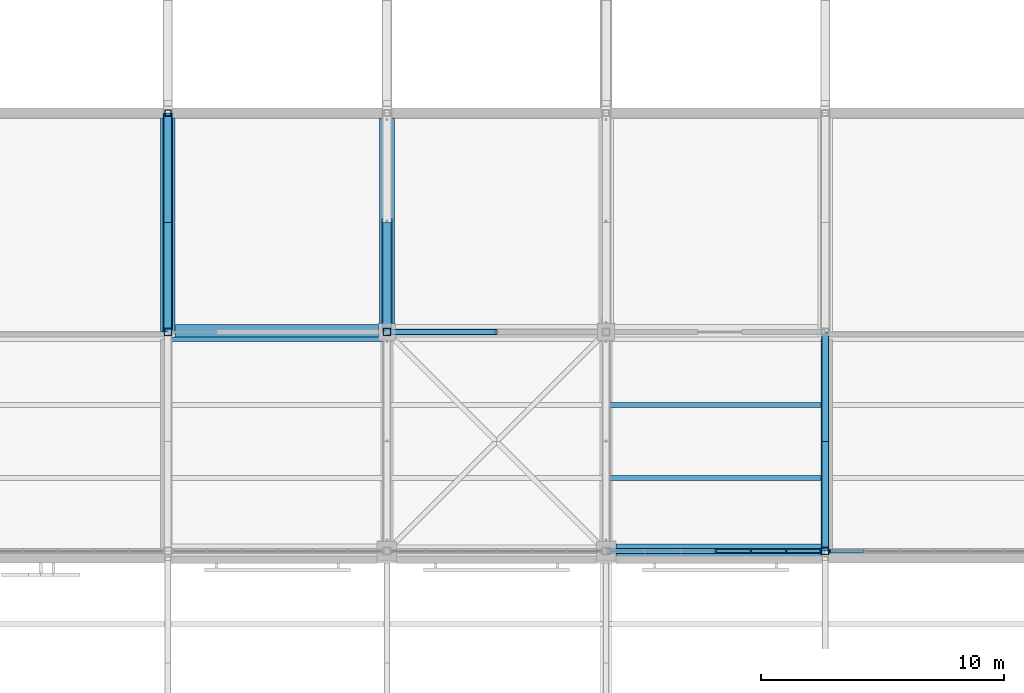
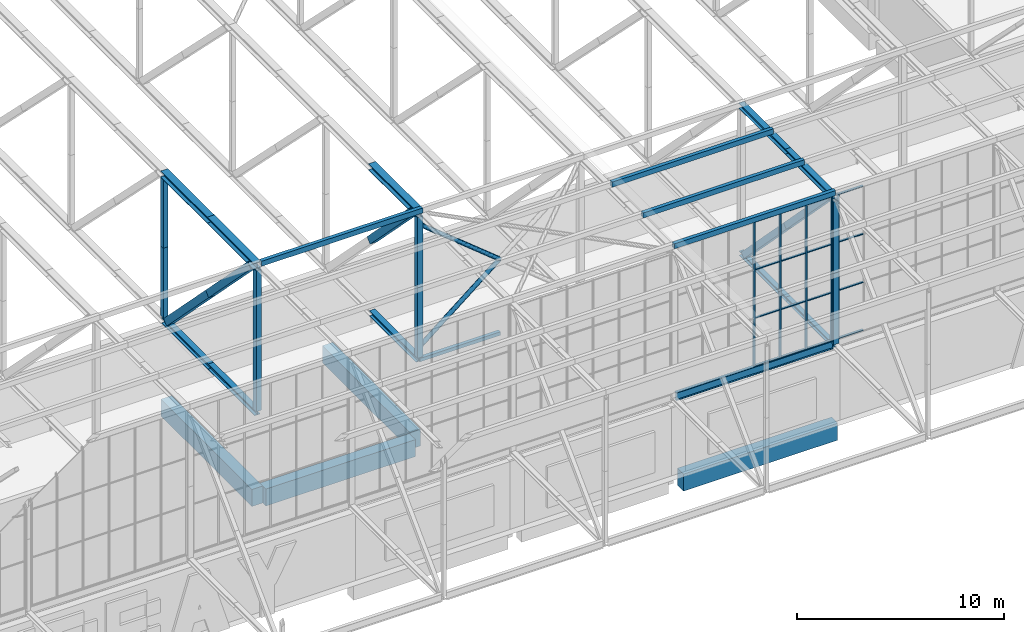
# One storey, part 35 of 646: 51 members, 5 beams, 2 elements without a shape of their own.
"""IFC4 building model written with IfcOpenShell, lengths in metres."""

from ifc_helpers import new_model, si_unit, direction, frame, origin, origin_2d, place, context, subcontext, project, spatial, rectangle, hollow_rectangle, hollow_circle, i_section, extrude, material, material_profile, profile_set, type_object, element, aggregate, save


model = new_model("IFC4")

# Units and contexts
model_context = context("Model", 3, precision=1e-05, world=origin(), true_north=direction((0.0, 1.0)))
body_context = subcontext(model_context, "Body", "Model", "MODEL_VIEW")
ifc_project = project(units=[si_unit("LENGTHUNIT", "METRE"), si_unit("AREAUNIT", "SQUARE_METRE"), si_unit("VOLUMEUNIT", "CUBIC_METRE"), si_unit("PLANEANGLEUNIT", "RADIAN"), si_unit("MASSUNIT", "GRAM", prefix="KILO")], contexts=[model_context])

# Site, building, storey
site_placement = place(None, origin())
site = spatial("IfcSite", under=ifc_project, at=site_placement, CompositionType="ELEMENT")
building_placement = place(site_placement, origin())
building = spatial("IfcBuilding", under=site, at=building_placement, Name="Silverbay Arena", CompositionType="ELEMENT")
storey_placement = place(building_placement, frame((0.0, 0.0, 33.5)))
storey = spatial("IfcBuildingStorey", under=building, at=storey_placement, Name="L05", CompositionType="ELEMENT", Elevation=33.5)

# Members
ifc_material_1 = material(Name="Steel S355", Category="steel")
ifc_material_profile_1 = material_profile(ifc_material_1, hollow_rectangle(XDim=0.199951171875, YDim=0.199951171875, WallThickness=0.008056640625, at=origin_2d()), Name="SHS 200x200x8")
ifc_profile_set_1 = profile_set([ifc_material_profile_1], Name="Steel S355")
member_type_1 = type_object("IfcMemberType", Name="Bracing strut SHS 200x200x8", PredefinedType="STRUT", material=ifc_profile_set_1)
member_1_placement = place(storey_placement, frame((126.0, 27.0, 4.13330078125), z_axis=(1.0, 0.0, 0.0), x_axis=(0.0, 1.0, 0.0)))
element("IfcMember", 1, at=member_1_placement, inside=storey, type_object=member_type_1, Name="ROOF BRACING strut 15-16 line 03a", PredefinedType="STRUT", context=body_context, shape_type="SweptSolid", body=[
    extrude(hollow_rectangle(XDim=0.199951171875, YDim=0.199951171875, WallThickness=0.008056640625, at=origin_2d()), origin(), (0.0, 0.0, 1.0), 4.5),
])
ifc_material_2 = material(Name="Steel S355", Category="steel")
ifc_material_profile_2 = material_profile(ifc_material_2, i_section(OverallWidth=0.2587890625, OverallDepth=0.2666015625, WebThickness=0.0126953125, FlangeThickness=0.0205078125, at=origin_2d()), Name="UC 254x254x107")
ifc_profile_set_2 = profile_set([ifc_material_profile_2], Name="Steel S355")
member_type_2 = type_object("IfcMemberType", Name="Main-span bottom chord UC 254x254x107", PredefinedType="CHORD", material=ifc_profile_set_2)
for number, where, z_axis, x_axis, name in (
    (2, (144.0, 18.0, 4.13330078125), (0.0, 1.0, 0.0), (-1.0, 0.0, 0.0), "ROOF TRUSS 17 bottom chord 02a"),
    (3, (144.0, 22.5, 4.13330078125), (0.0, 1.0, 0.0), (-1.0, 0.0, 0.0), "ROOF TRUSS 17 bottom chord 02b"),
):
    element("IfcMember", number, at=place(storey_placement, frame(where, z_axis=z_axis, x_axis=x_axis)), inside=storey, type_object=member_type_2, Name=name, PredefinedType="CHORD", context=body_context, shape_type="SweptSolid", body=[
        extrude(i_section(OverallWidth=0.2587890625, OverallDepth=0.2666015625, WebThickness=0.0126953125, FlangeThickness=0.0205078125, at=origin_2d()), origin(), (0.0, 0.0, 1.0), 4.5),
    ])
ifc_material_3 = material(Name="Steel S355", Category="steel")
ifc_material_profile_3 = material_profile(ifc_material_3, i_section(OverallWidth=0.311279296875, OverallDepth=0.3271484375, WebThickness=0.015869140625, FlangeThickness=0.02490234375, at=origin_2d()), Name="UC 305x305x158")
ifc_profile_set_3 = profile_set([ifc_material_profile_3], Name="Steel S355")
member_type_3 = type_object("IfcMemberType", Name="Main-span bottom chord UC 305x305x158", PredefinedType="CHORD", material=ifc_profile_set_3)
for number, where, z_axis, x_axis, name in (
    (4, (117.0, 27.0, 4.16357421875), (0.0, 1.0, 0.0), (-1.0, 0.0, 0.0), "ROOF TRUSS 14 bottom chord 03a"),
    (5, (117.0, 31.5, 4.16357421875), (0.0, 1.0, 0.0), (-1.0, 0.0, 0.0), "ROOF TRUSS 14 bottom chord 03b"),
    (6, (126.0, 27.0, 4.16357421875), (0.0, 1.0, 0.0), (-1.0, 0.0, 0.0), "ROOF TRUSS 15 bottom chord 03a"),
):
    element("IfcMember", number, at=place(storey_placement, frame(where, z_axis=z_axis, x_axis=x_axis)), inside=storey, type_object=member_type_3, Name=name, PredefinedType="CHORD", context=body_context, shape_type="SweptSolid", body=[
        extrude(i_section(OverallWidth=0.311279296875, OverallDepth=0.3271484375, WebThickness=0.015869140625, FlangeThickness=0.02490234375, at=origin_2d()), origin(), (0.0, 0.0, 1.0), 4.5),
    ])
ifc_material_4 = material(Name="Steel S355", Category="steel")
ifc_material_profile_4 = material_profile(ifc_material_4, i_section(OverallWidth=0.307373046875, OverallDepth=0.314453125, WebThickness=0.011962890625, FlangeThickness=0.018798828125, at=origin_2d()), Name="UC 305x305x118")
ifc_profile_set_4 = profile_set([ifc_material_profile_4], Name="Steel S355")
member_type_4 = type_object("IfcMemberType", Name="Main-span top chord UC 305x305x118", PredefinedType="CHORD", material=ifc_profile_set_4)
for number, where, z_axis, x_axis, name in (
    (7, (144.0, 18.0, 12.8427734375), (0.0, 1.0, 0.0), (-1.0, 0.0, 0.0), "ROOF TRUSS 17 top chord 02a"),
    (8, (144.0, 22.5, 12.8427734375), (0.0, 1.0, 0.0), (-1.0, 0.0, 0.0), "ROOF TRUSS 17 top chord 02b"),
):
    element("IfcMember", number, at=place(storey_placement, frame(where, z_axis=z_axis, x_axis=x_axis)), inside=storey, type_object=member_type_4, Name=name, PredefinedType="CHORD", context=body_context, shape_type="SweptSolid", body=[
        extrude(i_section(OverallWidth=0.307373046875, OverallDepth=0.314453125, WebThickness=0.011962890625, FlangeThickness=0.018798828125, at=origin_2d()), origin(), (0.0, 0.0, 1.0), 4.5),
    ])
ifc_material_5 = material(Name="Steel S355", Category="steel")
ifc_material_profile_5 = material_profile(ifc_material_5, i_section(OverallWidth=0.394775390625, OverallDepth=0.381103515625, WebThickness=0.018310546875, FlangeThickness=0.0302734375, at=origin_2d()), Name="UC 356x406x235")
ifc_profile_set_5 = profile_set([ifc_material_profile_5], Name="Steel S355")
member_type_5 = type_object("IfcMemberType", Name="Main-span top chord UC 356x406x235", PredefinedType="CHORD", material=ifc_profile_set_5)
for number, where, z_axis, x_axis, name in (
    (9, (117.0, 27.0, 12.8095703125), (0.0, 1.0, 0.0), (-1.0, 0.0, 0.0), "ROOF TRUSS 14 top chord 03a"),
    (10, (117.0, 31.5, 12.8095703125), (0.0, 1.0, 0.0), (-1.0, 0.0, 0.0), "ROOF TRUSS 14 top chord 03b"),
    (11, (126.0, 27.0, 12.8095703125), (0.0, 1.0, 0.0), (-1.0, 0.0, 0.0), "ROOF TRUSS 15 top chord 03a"),
):
    element("IfcMember", number, at=place(storey_placement, frame(where, z_axis=z_axis, x_axis=x_axis)), inside=storey, type_object=member_type_5, Name=name, PredefinedType="CHORD", context=body_context, shape_type="SweptSolid", body=[
        extrude(i_section(OverallWidth=0.394775390625, OverallDepth=0.381103515625, WebThickness=0.018310546875, FlangeThickness=0.0302734375, at=origin_2d()), origin(), (0.0, 0.0, 1.0), 4.5),
    ])
ifc_material_6 = material(Name="Steel S355", Category="steel")
ifc_material_profile_6 = material_profile(ifc_material_6, hollow_rectangle(XDim=0.35009765625, YDim=0.35009765625, WallThickness=0.01611328125, at=origin_2d()), Name="SHS 350x350x16")
ifc_profile_set_6 = profile_set([ifc_material_profile_6], Name="Steel S355")
member_type_6 = type_object("IfcMemberType", Name="Main-span truss diagonal SHS 350x350x16", PredefinedType="BRACE", material=ifc_profile_set_6)
for number, where, z_axis, x_axis, name in (
    (12, (144.0, 18.40625, 12.685546875), (0.0, 0.697184071327, -0.716892161129), (-1.0, 0.0, 0.0), "ROOF TRUSS 17 diagonal 02a"),
    (13, (144.0, 22.5, 8.47607421875), (0.0, 0.697184071327, -0.716892161129), (-1.0, 0.0, 0.0), "ROOF TRUSS 17 diagonal 02b"),
):
    element("IfcMember", number, at=place(storey_placement, frame(where, z_axis=z_axis, x_axis=x_axis)), inside=storey, type_object=member_type_6, Name=name, PredefinedType="BRACE", context=body_context, shape_type="SweptSolid", body=[
        extrude(hollow_rectangle(XDim=0.35009765625, YDim=0.35009765625, WallThickness=0.01611328125, at=origin_2d()), origin(), (0.0, 0.0, 1.0), 5.871826171875),
    ])
ifc_material_7 = material(Name="Steel S355", Category="steel")
ifc_material_profile_7 = material_profile(ifc_material_7, hollow_rectangle(XDim=0.39990234375, YDim=0.39990234375, WallThickness=0.01416015625, at=origin_2d()), Name="SHS 400x400x14.2")
ifc_profile_set_7 = profile_set([ifc_material_profile_7], Name="Steel S355")
member_type_7 = type_object("IfcMemberType", Name="Main-span truss diagonal SHS 400x400x14.2", PredefinedType="BRACE", material=ifc_profile_set_7)
member_2_placement = place(storey_placement, frame((117.0, 27.445068359375, 12.618896484375), z_axis=(0.0, 0.700113450325, -0.71403162162), x_axis=(-1.0, 0.0, 0.0)))
element("IfcMember", 14, at=member_2_placement, inside=storey, type_object=member_type_7, Name="ROOF TRUSS 14 diagonal 03a", PredefinedType="BRACE", context=body_context, shape_type="SweptSolid", body=[
    extrude(hollow_rectangle(XDim=0.39990234375, YDim=0.39990234375, WallThickness=0.01416015625, at=origin_2d()), origin(), (0.0, 0.0, 1.0), 5.80615234375),
])
member_3_placement = place(storey_placement, frame((117.0, 31.510009765625, 8.47314453125), z_axis=(0.0, 0.700092430298, -0.714052231311), x_axis=(-1.0, 0.0, 0.0)))
element("IfcMember", 15, at=member_3_placement, inside=storey, type_object=member_type_7, Name="ROOF TRUSS 14 diagonal 03b", PredefinedType="BRACE", context=body_context, shape_type="SweptSolid", body=[
    extrude(hollow_rectangle(XDim=0.39990234375, YDim=0.39990234375, WallThickness=0.01416015625, at=origin_2d()), origin(), (0.0, 0.0, 1.0), 5.806396484375),
])
member_4_placement = place(storey_placement, frame((126.0, 27.445068359375, 12.618896484375), z_axis=(0.0, 0.700113450325, -0.71403162162), x_axis=(-1.0, 0.0, 0.0)))
element("IfcMember", 16, at=member_4_placement, inside=storey, type_object=member_type_7, Name="ROOF TRUSS 15 diagonal 03a", PredefinedType="BRACE", context=body_context, shape_type="SweptSolid", body=[
    extrude(hollow_rectangle(XDim=0.39990234375, YDim=0.39990234375, WallThickness=0.01416015625, at=origin_2d()), origin(), (0.0, 0.0, 1.0), 5.80615234375),
])
ifc_material_8 = material(Name="Steel S355", Category="steel")
ifc_material_profile_8 = material_profile(ifc_material_8, hollow_rectangle(XDim=0.260009765625, YDim=0.260009765625, WallThickness=0.012451171875, at=origin_2d()), Name="SHS 260x260x12.5")
ifc_profile_set_8 = profile_set([ifc_material_profile_8], Name="Steel S355")
member_type_8 = type_object("IfcMemberType", Name="Main-span truss vertical SHS 260x260x12.5", PredefinedType="STRUT", material=ifc_profile_set_8)
for number, where, z_axis, x_axis, name in (
    (17, (117.0, 36.0, 4.3681640625), (0.0, 0.0, 1.0), (1.0, 0.0, 0.0), "ROOF TRUSS 14 vertical 04a"),
    (18, (117.0, 36.0, 8.4873046875), (0.0, 0.0, 1.0), (1.0, 0.0, 0.0), "ROOF TRUSS 14 vertical 04b"),
):
    element("IfcMember", number, at=place(storey_placement, frame(where, z_axis=z_axis, x_axis=x_axis)), inside=storey, type_object=member_type_8, Name=name, PredefinedType="STRUT", context=body_context, shape_type="SweptSolid", body=[
        extrude(hollow_rectangle(XDim=0.260009765625, YDim=0.260009765625, WallThickness=0.012451171875, at=origin_2d()), origin(), (0.0, 0.0, 1.0), 4.119140625),
    ])
ifc_material_9 = material(Name="Steel S355", Category="steel")
ifc_material_profile_9 = material_profile(ifc_material_9, hollow_rectangle(XDim=0.300048828125, YDim=0.300048828125, WallThickness=0.012451171875, at=origin_2d()), Name="SHS 300x300x12.5")
ifc_profile_set_9 = profile_set([ifc_material_profile_9], Name="Steel S355")
member_type_9 = type_object("IfcMemberType", Name="Main-span truss vertical SHS 300x300x12.5", PredefinedType="STRUT", material=ifc_profile_set_9)
member_5_placement = place(storey_placement, frame((117.0, 27.0, 4.3271484375), z_axis=(0.0, 0.0, 1.0), x_axis=(1.0, 0.0, 0.0)))
element("IfcMember", 19, at=member_5_placement, inside=storey, type_object=member_type_9, Name="ROOF TRUSS 14 vertical 03a", PredefinedType="STRUT", context=body_context, shape_type="SweptSolid", body=[
    extrude(hollow_rectangle(XDim=0.300048828125, YDim=0.300048828125, WallThickness=0.012451171875, at=origin_2d()), origin(), (0.0, 0.0, 1.0), 4.14599609375),
])
member_6_placement = place(storey_placement, frame((117.0, 27.0, 8.47314453125), z_axis=(0.0, 0.0, 1.0), x_axis=(1.0, 0.0, 0.0)))
element("IfcMember", 20, at=member_6_placement, inside=storey, type_object=member_type_9, Name="ROOF TRUSS 14 vertical 03b", PredefinedType="STRUT", context=body_context, shape_type="SweptSolid", body=[
    extrude(hollow_rectangle(XDim=0.300048828125, YDim=0.300048828125, WallThickness=0.012451171875, at=origin_2d()), origin(), (0.0, 0.0, 1.0), 4.145751953125),
])
member_7_placement = place(storey_placement, frame((126.0, 27.0, 4.3271484375), z_axis=(0.0, 0.0, 1.0), x_axis=(1.0, 0.0, 0.0)))
element("IfcMember", 21, at=member_7_placement, inside=storey, type_object=member_type_9, Name="ROOF TRUSS 15 vertical 03a", PredefinedType="STRUT", context=body_context, shape_type="SweptSolid", body=[
    extrude(hollow_rectangle(XDim=0.300048828125, YDim=0.300048828125, WallThickness=0.012451171875, at=origin_2d()), origin(), (0.0, 0.0, 1.0), 4.14599609375),
])
member_8_placement = place(storey_placement, frame((126.0, 27.0, 8.47314453125), z_axis=(0.0, 0.0, 1.0), x_axis=(1.0, 0.0, 0.0)))
element("IfcMember", 22, at=member_8_placement, inside=storey, type_object=member_type_9, Name="ROOF TRUSS 15 vertical 03b", PredefinedType="STRUT", context=body_context, shape_type="SweptSolid", body=[
    extrude(hollow_rectangle(XDim=0.300048828125, YDim=0.300048828125, WallThickness=0.012451171875, at=origin_2d()), origin(), (0.0, 0.0, 1.0), 4.145751953125),
])
for number, where, z_axis, x_axis, name in (
    (23, (144.0, 18.0, 4.2666015625), (0.0, 0.0, 1.0), (1.0, 0.0, 0.0), "ROOF TRUSS 17 vertical 02a"),
    (24, (144.0, 18.0, 8.47607421875), (0.0, 0.0, 1.0), (1.0, 0.0, 0.0), "ROOF TRUSS 17 vertical 02b"),
):
    element("IfcMember", number, at=place(storey_placement, frame(where, z_axis=z_axis, x_axis=x_axis)), inside=storey, type_object=member_type_9, Name=name, PredefinedType="STRUT", context=body_context, shape_type="SweptSolid", body=[
        extrude(hollow_rectangle(XDim=0.300048828125, YDim=0.300048828125, WallThickness=0.012451171875, at=origin_2d()), origin(), (0.0, 0.0, 1.0), 4.20947265625),
    ])

# Curtain wall, members
ifc_material_10 = material(Name="Aluminium framed glazing", Category="aluminium")
curtain_wall_type = type_object("IfcCurtainWallType", Name="Curtain wall clerestory 8693 x 8540", PredefinedType="NOTDEFINED", material=ifc_material_10)
curtain_wall_1_placement = place(storey_placement, origin())
curtain_wall_1 = element("IfcCurtainWall", 25, at=curtain_wall_1_placement, inside=storey, type_object=curtain_wall_type, Name="ROOF CLERESTORY CURTAIN WALL south bay 10", PredefinedType="NOTDEFINED")
ifc_material_11 = material(Name="Aluminium", Category="aluminium")
ifc_material_profile_10 = material_profile(ifc_material_11, rectangle(XDim=0.159912109375, YDim=0.06005859375, at=origin_2d()), Name="Mullion 60 x 160")
ifc_profile_set_10 = profile_set([ifc_material_profile_10], Name="Aluminium")
member_type_10 = type_object("IfcMemberType", Name="Mullion 60 x 160", PredefinedType="MULLION", material=ifc_profile_set_10)
member_9_placement = place(storey_placement, frame((139.5, 18.0, 4.4599609375), z_axis=(0.0, 0.0, 1.0), x_axis=(0.0, 1.0, 0.0)))
member_9 = element("IfcMember", 26, at=member_9_placement, type_object=member_type_10, Name="CW55 mullion 4", PredefinedType="MULLION", context=body_context, shape_type="SweptSolid", body=[
    extrude(rectangle(XDim=0.159912109375, YDim=0.06005859375, at=origin_2d()), origin(), (0.0, 0.0, 1.0), 8.5400390625),
])
member_10_placement = place(storey_placement, frame((140.94873046875, 18.0, 4.4599609375), z_axis=(0.0, 0.0, 1.0), x_axis=(0.0, 1.0, 0.0)))
member_10 = element("IfcMember", 27, at=member_10_placement, type_object=member_type_10, Name="CW55 mullion 5", PredefinedType="MULLION", context=body_context, shape_type="SweptSolid", body=[
    extrude(rectangle(XDim=0.159912109375, YDim=0.06005859375, at=origin_2d()), origin(), (0.0, 0.0, 1.0), 8.5400390625),
])
member_11_placement = place(storey_placement, frame((142.3974609375, 18.0, 4.4599609375), z_axis=(0.0, 0.0, 1.0), x_axis=(0.0, 1.0, 0.0)))
member_11 = element("IfcMember", 28, at=member_11_placement, type_object=member_type_10, Name="CW55 mullion 6", PredefinedType="MULLION", context=body_context, shape_type="SweptSolid", body=[
    extrude(rectangle(XDim=0.159912109375, YDim=0.06005859375, at=origin_2d()), origin(), (0.0, 0.0, 1.0), 8.5400390625),
])
member_12_placement = place(storey_placement, frame((143.81640625, 18.0, 4.4599609375), z_axis=(0.0, 0.0, 1.0), x_axis=(0.0, 1.0, 0.0)))
member_12 = element("IfcMember", 29, at=member_12_placement, type_object=member_type_10, Name="CW55 mullion 7", PredefinedType="MULLION", context=body_context, shape_type="SweptSolid", body=[
    extrude(rectangle(XDim=0.159912109375, YDim=0.06005859375, at=origin_2d()), origin(), (0.0, 0.0, 1.0), 8.5400390625),
])

# Curtain wall, member
curtain_wall_2_placement = place(storey_placement, origin())
curtain_wall_2 = element("IfcCurtainWall", 30, at=curtain_wall_2_placement, inside=storey, type_object=curtain_wall_type, Name="ROOF CLERESTORY CURTAIN WALL south bay 11", PredefinedType="NOTDEFINED")
member_13_placement = place(storey_placement, frame((144.18359375, 18.0, 4.4599609375), z_axis=(0.0, 0.0, 1.0), x_axis=(0.0, 1.0, 0.0)))
member_13 = element("IfcMember", 31, at=member_13_placement, type_object=member_type_10, Name="CW55 mullion 1", PredefinedType="MULLION", context=body_context, shape_type="SweptSolid", body=[
    extrude(rectangle(XDim=0.159912109375, YDim=0.06005859375, at=origin_2d()), origin(), (0.0, 0.0, 1.0), 8.5400390625),
])

# Members
ifc_material_12 = material(Name="Steel S355", Category="steel")
ifc_material_profile_11 = material_profile(ifc_material_12, hollow_rectangle(XDim=0.199951171875, YDim=0.300048828125, WallThickness=0.00634765625, at=origin_2d()), Name="RHS 300x200x6.3")
ifc_profile_set_11 = profile_set([ifc_material_profile_11], Name="Steel S355")
member_type_11 = type_object("IfcMemberType", Name="Purlin RHS 300x200x6.3", PredefinedType="PURLIN", material=ifc_profile_set_11)
for number, where, z_axis, x_axis, name in (
    (32, (135.0, 24.0, 13.14990234375), (1.0, 0.0, 0.0), (0.0, 1.0, 0.0), "ROOF PURLIN 16-17 line 06"),
    (33, (117.0, 26.699951171875, 13.14990234375), (1.0, 0.0, 0.0), (0.0, 1.0, 0.0), "ROOF PURLIN crown rim south 14-15"),
):
    element("IfcMember", number, at=place(storey_placement, frame(where, z_axis=z_axis, x_axis=x_axis)), inside=storey, type_object=member_type_11, Name=name, PredefinedType="PURLIN", context=body_context, shape_type="SweptSolid", body=[
        extrude(hollow_rectangle(XDim=0.199951171875, YDim=0.300048828125, WallThickness=0.00634765625, at=origin_2d()), origin(), (0.0, 0.0, 1.0), 9.0),
    ])
ifc_material_13 = material(Name="Steel S355", Category="steel")
ifc_material_profile_12 = material_profile(ifc_material_13, hollow_rectangle(XDim=0.199951171875, YDim=0.300048828125, WallThickness=0.008056640625, at=origin_2d()), Name="RHS 300x200x8")
ifc_profile_set_12 = profile_set([ifc_material_profile_12], Name="Steel S355")
member_type_12 = type_object("IfcMemberType", Name="Purlin RHS 300x200x8", PredefinedType="PURLIN", material=ifc_profile_set_12)
for number, where, z_axis, x_axis, name in (
    (34, (135.0, 18.0, 13.14990234375), (1.0, 0.0, 0.0), (0.0, 1.0, 0.0), "ROOF PURLIN 16-17 line 04"),
    (35, (135.0, 21.0, 13.14990234375), (1.0, 0.0, 0.0), (0.0, 1.0, 0.0), "ROOF PURLIN 16-17 line 05"),
):
    element("IfcMember", number, at=place(storey_placement, frame(where, z_axis=z_axis, x_axis=x_axis)), inside=storey, type_object=member_type_12, Name=name, PredefinedType="PURLIN", context=body_context, shape_type="SweptSolid", body=[
        extrude(hollow_rectangle(XDim=0.199951171875, YDim=0.300048828125, WallThickness=0.008056640625, at=origin_2d()), origin(), (0.0, 0.0, 1.0), 9.0),
    ])

# Beams
ifc_material_14 = material(Name="Concrete Grade C45", Category="concrete")
ifc_material_profile_13 = material_profile(ifc_material_14, rectangle(XDim=0.60009765625, YDim=1.0, at=origin_2d()), Name="RC 600x1000")
ifc_profile_set_13 = profile_set([ifc_material_profile_13], Name="Concrete Grade C45")
beam_type_1 = type_object("IfcBeamType", Name="RC beam 600x1000", PredefinedType="BEAM", material=ifc_profile_set_13)
beam_1_placement = place(storey_placement, frame((135.39990234375, 18.0, -0.800048828125), z_axis=(1.0, 0.0, 0.0), x_axis=(0.0, 1.0, 0.0)))
element("IfcBeam", 36, at=beam_1_placement, inside=storey, type_object=beam_type_1, Name="Floor beam L05 004", PredefinedType="BEAM", context=body_context, shape_type="SweptSolid", body=[
    extrude(rectangle(XDim=0.60009765625, YDim=1.0, at=origin_2d()), origin(), (0.0, 0.0, 1.0), 8.60009765625),
])
beam_2_placement = place(storey_placement, frame((117.300048828125, 27.0, -0.800048828125), z_axis=(1.0, 0.0, 0.0), x_axis=(0.0, 1.0, 0.0)))
element("IfcBeam", 37, at=beam_2_placement, inside=storey, type_object=beam_type_1, Name="Floor beam L05 007", PredefinedType="BEAM", context=body_context, shape_type="SweptSolid", body=[
    extrude(rectangle(XDim=0.60009765625, YDim=1.0, at=origin_2d()), origin(), (0.0, 0.0, 1.0), 8.349853515625),
])
beam_3_placement = place(storey_placement, frame((117.0, 27.0, -0.800048828125), z_axis=(0.0, 1.0, 0.0), x_axis=(-1.0, 0.0, 0.0)))
element("IfcBeam", 38, at=beam_3_placement, inside=storey, type_object=beam_type_1, Name="Floor beam L05 107", PredefinedType="BEAM", context=body_context, shape_type="SweptSolid", body=[
    extrude(rectangle(XDim=0.60009765625, YDim=1.0, at=origin_2d()), origin(), (0.0, 0.0, 1.0), 8.800048828125),
])
beam_4_placement = place(storey_placement, frame((126.0, 27.35009765625, -0.800048828125), z_axis=(0.0, 1.0, 0.0), x_axis=(-1.0, 0.0, 0.0)))
element("IfcBeam", 39, at=beam_4_placement, inside=storey, type_object=beam_type_1, Name="Floor beam L05 110", PredefinedType="BEAM", context=body_context, shape_type="SweptSolid", body=[
    extrude(rectangle(XDim=0.60009765625, YDim=1.0, at=origin_2d()), origin(), (0.0, 0.0, 1.0), 8.449951171875),
])
ifc_material_15 = material(Name="Steel S355", Category="steel")
ifc_material_profile_14 = material_profile(ifc_material_15, i_section(OverallWidth=0.19140625, OverallDepth=0.4599609375, WebThickness=0.010009765625, FlangeThickness=0.01611328125, at=origin_2d()), Name="UB 457x191x82")
ifc_profile_set_14 = profile_set([ifc_material_profile_14], Name="Steel S355")
beam_type_2 = type_object("IfcBeamType", Name="Ring beam UB 457x191x82", PredefinedType="BEAM", material=ifc_profile_set_14)
beam_5_placement = place(storey_placement, frame((135.12939453125, 18.0, 4.22998046875), z_axis=(1.0, 0.0, 0.0), x_axis=(0.0, 1.0, 0.0)))
element("IfcBeam", 40, at=beam_5_placement, inside=storey, type_object=beam_type_2, Name="RING BEAM south facade 16-17", PredefinedType="BEAM", context=body_context, shape_type="SweptSolid", body=[
    extrude(i_section(OverallWidth=0.19140625, OverallDepth=0.4599609375, WebThickness=0.010009765625, FlangeThickness=0.01611328125, at=origin_2d()), origin(), (0.0, 0.0, 1.0), 8.7412109375),
])

# Member
ifc_material_16 = material(Name="Aluminium", Category="aluminium")
ifc_material_profile_15 = material_profile(ifc_material_16, rectangle(XDim=0.1201171875, YDim=0.050048828125, at=origin_2d()), Name="Transom 50 x 120")
ifc_profile_set_15 = profile_set([ifc_material_profile_15], Name="Aluminium")
member_type_13 = type_object("IfcMemberType", Name="Transom 50 x 120", PredefinedType="USERDEFINED", material=ifc_profile_set_15)
member_14_placement = place(storey_placement, frame((139.530029296875, 18.0, 4.485107421875), z_axis=(1.0, 0.0, 0.0), x_axis=(0.0, 1.0, 0.0)))
member_14 = element("IfcMember", 41, at=member_14_placement, type_object=member_type_13, Name="CW55 transom 4.1", ObjectType="TRANSOM", PredefinedType="USERDEFINED", context=body_context, shape_type="SweptSolid", body=[
    extrude(rectangle(XDim=0.1201171875, YDim=0.050048828125, at=origin_2d()), origin(), (0.0, 0.0, 1.0), 1.388671875),
])

member_15_placement = place(storey_placement, frame((139.530029296875, 18.0, 7.306640625), z_axis=(1.0, 0.0, 0.0), x_axis=(0.0, 1.0, 0.0)))
member_15 = element("IfcMember", 42, at=member_15_placement, type_object=member_type_13, Name="CW55 transom 4.2", ObjectType="TRANSOM", PredefinedType="USERDEFINED", context=body_context, shape_type="SweptSolid", body=[
    extrude(rectangle(XDim=0.1201171875, YDim=0.050048828125, at=origin_2d()), origin(), (0.0, 0.0, 1.0), 1.388671875),
])

member_16_placement = place(storey_placement, frame((139.530029296875, 18.0, 10.1533203125), z_axis=(1.0, 0.0, 0.0), x_axis=(0.0, 1.0, 0.0)))
member_16 = element("IfcMember", 43, at=member_16_placement, type_object=member_type_13, Name="CW55 transom 4.3", ObjectType="TRANSOM", PredefinedType="USERDEFINED", context=body_context, shape_type="SweptSolid", body=[
    extrude(rectangle(XDim=0.1201171875, YDim=0.050048828125, at=origin_2d()), origin(), (0.0, 0.0, 1.0), 1.388671875),
])

member_17_placement = place(storey_placement, frame((139.530029296875, 18.0, 12.97509765625), z_axis=(1.0, 0.0, 0.0), x_axis=(0.0, 1.0, 0.0)))
member_17 = element("IfcMember", 44, at=member_17_placement, type_object=member_type_13, Name="CW55 transom 4.4", ObjectType="TRANSOM", PredefinedType="USERDEFINED", context=body_context, shape_type="SweptSolid", body=[
    extrude(rectangle(XDim=0.1201171875, YDim=0.050048828125, at=origin_2d()), origin(), (0.0, 0.0, 1.0), 1.388671875),
])

member_18_placement = place(storey_placement, frame((140.978759765625, 18.0, 4.485107421875), z_axis=(1.0, 0.0, 0.0), x_axis=(0.0, 1.0, 0.0)))
member_18 = element("IfcMember", 45, at=member_18_placement, type_object=member_type_13, Name="CW55 transom 5.1", ObjectType="TRANSOM", PredefinedType="USERDEFINED", context=body_context, shape_type="SweptSolid", body=[
    extrude(rectangle(XDim=0.1201171875, YDim=0.050048828125, at=origin_2d()), origin(), (0.0, 0.0, 1.0), 1.388671875),
])

member_19_placement = place(storey_placement, frame((140.978759765625, 18.0, 7.306640625), z_axis=(1.0, 0.0, 0.0), x_axis=(0.0, 1.0, 0.0)))
member_19 = element("IfcMember", 46, at=member_19_placement, type_object=member_type_13, Name="CW55 transom 5.2", ObjectType="TRANSOM", PredefinedType="USERDEFINED", context=body_context, shape_type="SweptSolid", body=[
    extrude(rectangle(XDim=0.1201171875, YDim=0.050048828125, at=origin_2d()), origin(), (0.0, 0.0, 1.0), 1.388671875),
])

member_20_placement = place(storey_placement, frame((140.978759765625, 18.0, 10.1533203125), z_axis=(1.0, 0.0, 0.0), x_axis=(0.0, 1.0, 0.0)))
member_20 = element("IfcMember", 47, at=member_20_placement, type_object=member_type_13, Name="CW55 transom 5.3", ObjectType="TRANSOM", PredefinedType="USERDEFINED", context=body_context, shape_type="SweptSolid", body=[
    extrude(rectangle(XDim=0.1201171875, YDim=0.050048828125, at=origin_2d()), origin(), (0.0, 0.0, 1.0), 1.388671875),
])

member_21_placement = place(storey_placement, frame((140.978759765625, 18.0, 12.97509765625), z_axis=(1.0, 0.0, 0.0), x_axis=(0.0, 1.0, 0.0)))
member_21 = element("IfcMember", 48, at=member_21_placement, type_object=member_type_13, Name="CW55 transom 5.4", ObjectType="TRANSOM", PredefinedType="USERDEFINED", context=body_context, shape_type="SweptSolid", body=[
    extrude(rectangle(XDim=0.1201171875, YDim=0.050048828125, at=origin_2d()), origin(), (0.0, 0.0, 1.0), 1.388671875),
])

member_22_placement = place(storey_placement, frame((142.427490234375, 18.0, 4.485107421875), z_axis=(1.0, 0.0, 0.0), x_axis=(0.0, 1.0, 0.0)))
member_22 = element("IfcMember", 49, at=member_22_placement, type_object=member_type_13, Name="CW55 transom 6.1", ObjectType="TRANSOM", PredefinedType="USERDEFINED", context=body_context, shape_type="SweptSolid", body=[
    extrude(rectangle(XDim=0.1201171875, YDim=0.050048828125, at=origin_2d()), origin(), (0.0, 0.0, 1.0), 1.35888671875),
])

member_23_placement = place(storey_placement, frame((142.427490234375, 18.0, 7.306640625), z_axis=(1.0, 0.0, 0.0), x_axis=(0.0, 1.0, 0.0)))
member_23 = element("IfcMember", 50, at=member_23_placement, type_object=member_type_13, Name="CW55 transom 6.2", ObjectType="TRANSOM", PredefinedType="USERDEFINED", context=body_context, shape_type="SweptSolid", body=[
    extrude(rectangle(XDim=0.1201171875, YDim=0.050048828125, at=origin_2d()), origin(), (0.0, 0.0, 1.0), 1.35888671875),
])

member_24_placement = place(storey_placement, frame((142.427490234375, 18.0, 10.1533203125), z_axis=(1.0, 0.0, 0.0), x_axis=(0.0, 1.0, 0.0)))
member_24 = element("IfcMember", 51, at=member_24_placement, type_object=member_type_13, Name="CW55 transom 6.3", ObjectType="TRANSOM", PredefinedType="USERDEFINED", context=body_context, shape_type="SweptSolid", body=[
    extrude(rectangle(XDim=0.1201171875, YDim=0.050048828125, at=origin_2d()), origin(), (0.0, 0.0, 1.0), 1.35888671875),
])

member_25_placement = place(storey_placement, frame((142.427490234375, 18.0, 12.97509765625), z_axis=(1.0, 0.0, 0.0), x_axis=(0.0, 1.0, 0.0)))
member_25 = element("IfcMember", 52, at=member_25_placement, type_object=member_type_13, Name="CW55 transom 6.4", ObjectType="TRANSOM", PredefinedType="USERDEFINED", context=body_context, shape_type="SweptSolid", body=[
    extrude(rectangle(XDim=0.1201171875, YDim=0.050048828125, at=origin_2d()), origin(), (0.0, 0.0, 1.0), 1.35888671875),
])

aggregate(curtain_wall_1, [member_9, member_10, member_11, member_12, member_14, member_15, member_16, member_17, member_18, member_19, member_20, member_21, member_22, member_23, member_24, member_25])

member_26_placement = place(storey_placement, frame((144.213623046875, 18.0, 4.485107421875), z_axis=(1.0, 0.0, 0.0), x_axis=(0.0, 1.0, 0.0)))
member_26 = element("IfcMember", 53, at=member_26_placement, type_object=member_type_13, Name="CW55 transom 1.1", ObjectType="TRANSOM", PredefinedType="USERDEFINED", context=body_context, shape_type="SweptSolid", body=[
    extrude(rectangle(XDim=0.1201171875, YDim=0.050048828125, at=origin_2d()), origin(), (0.0, 0.0, 1.0), 1.35888671875),
])

member_27_placement = place(storey_placement, frame((144.213623046875, 18.0, 7.306640625), z_axis=(1.0, 0.0, 0.0), x_axis=(0.0, 1.0, 0.0)))
member_27 = element("IfcMember", 54, at=member_27_placement, type_object=member_type_13, Name="CW55 transom 1.2", ObjectType="TRANSOM", PredefinedType="USERDEFINED", context=body_context, shape_type="SweptSolid", body=[
    extrude(rectangle(XDim=0.1201171875, YDim=0.050048828125, at=origin_2d()), origin(), (0.0, 0.0, 1.0), 1.35888671875),
])

member_28_placement = place(storey_placement, frame((144.213623046875, 18.0, 10.1533203125), z_axis=(1.0, 0.0, 0.0), x_axis=(0.0, 1.0, 0.0)))
member_28 = element("IfcMember", 55, at=member_28_placement, type_object=member_type_13, Name="CW55 transom 1.3", ObjectType="TRANSOM", PredefinedType="USERDEFINED", context=body_context, shape_type="SweptSolid", body=[
    extrude(rectangle(XDim=0.1201171875, YDim=0.050048828125, at=origin_2d()), origin(), (0.0, 0.0, 1.0), 1.35888671875),
])

member_29_placement = place(storey_placement, frame((144.213623046875, 18.0, 12.97509765625), z_axis=(1.0, 0.0, 0.0), x_axis=(0.0, 1.0, 0.0)))
member_29 = element("IfcMember", 56, at=member_29_placement, type_object=member_type_13, Name="CW55 transom 1.4", ObjectType="TRANSOM", PredefinedType="USERDEFINED", context=body_context, shape_type="SweptSolid", body=[
    extrude(rectangle(XDim=0.1201171875, YDim=0.050048828125, at=origin_2d()), origin(), (0.0, 0.0, 1.0), 1.35888671875),
])

aggregate(curtain_wall_2, [member_13, member_26, member_27, member_28, member_29])

# Members
ifc_material_17 = material(Name="Steel S355", Category="steel")
ifc_material_profile_16 = material_profile(ifc_material_17, hollow_circle(Radius=0.122314453125, WallThickness=0.00634765625, at=origin_2d()), Name="CHS 244.5x6.3")
ifc_profile_set_16 = profile_set([ifc_material_profile_16], Name="Steel S355")
member_type_14 = type_object("IfcMemberType", Name="Vertical bracing CHS 244.5x6.3", PredefinedType="BRACE", material=ifc_profile_set_16)
member_30_placement = place(storey_placement, frame((126.0, 27.0, 4.8271484375), z_axis=(0.7769797522, 0.0, 0.629525586987), x_axis=(0.0, 1.0, 0.0)))
element("IfcMember", 57, at=member_30_placement, inside=storey, type_object=member_type_14, Name="ROOF BRACING vertical 15-16 line 03 Aa", PredefinedType="BRACE", context=body_context, shape_type="SweptSolid", body=[
    extrude(hollow_circle(Radius=0.122314453125, WallThickness=0.00634765625, at=origin_2d()), origin(), (0.0, 0.0, 1.0), 5.791748046875),
])
member_31_placement = place(storey_placement, frame((126.0, 27.0, 12.118896484375), z_axis=(0.777000370985, 0.0, -0.629500137799), x_axis=(0.0, 1.0, 0.0)))
element("IfcMember", 58, at=member_31_placement, inside=storey, type_object=member_type_14, Name="ROOF BRACING vertical 15-16 line 03 Ba", PredefinedType="BRACE", context=body_context, shape_type="SweptSolid", body=[
    extrude(hollow_circle(Radius=0.122314453125, WallThickness=0.00634765625, at=origin_2d()), origin(), (0.0, 0.0, 1.0), 5.79150390625),
])

save(model, "model.ifc")
